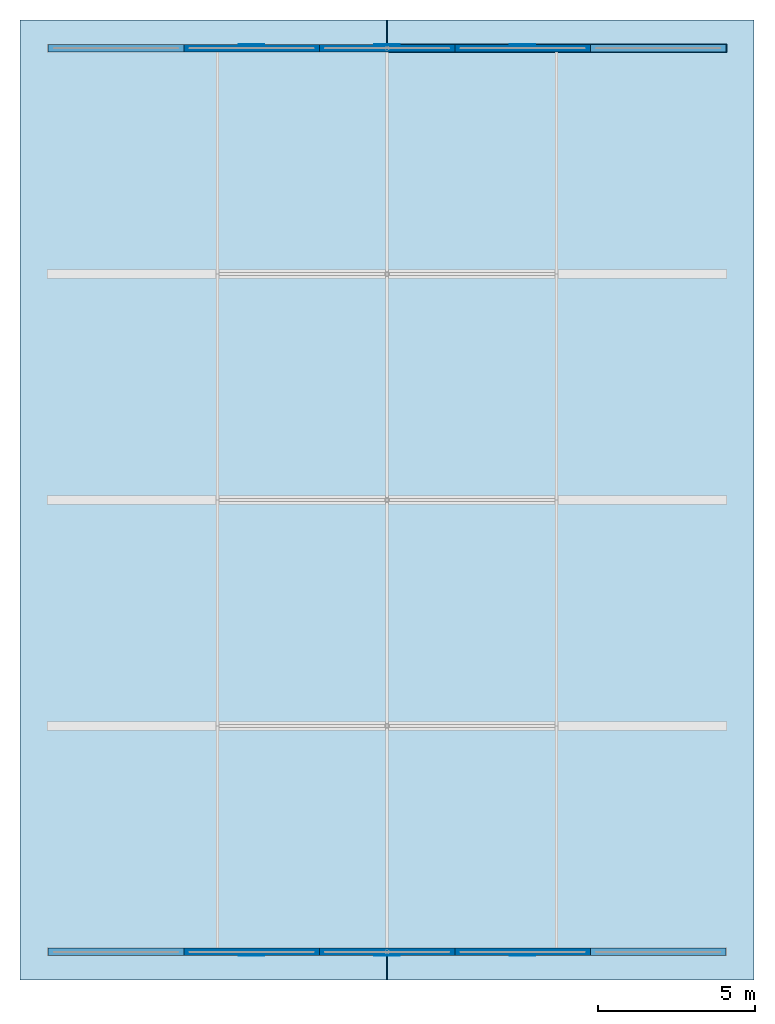
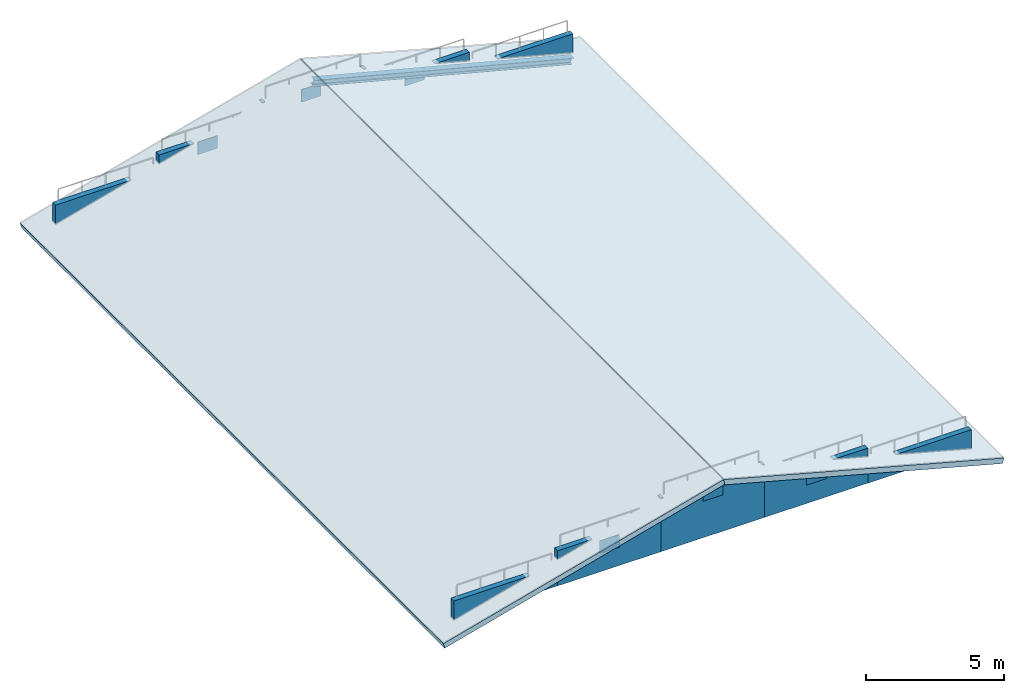
# One storey, part 7 of 8: 10 walls, 6 plates, 2 slabs, 1 member.
"""IFC4 building model written with IfcOpenShell, lengths in metres."""

from ifc_helpers import new_model, si_unit, direction, frame, frame_2d, origin, origin_2d, place, context, subcontext, project, spatial, polyline, rectangle, i_section, outline, extrude, material, layer, layer_set, material_profile, profile_set, type_object, element, save


model = new_model("IFC4")

# Units and contexts
model_context = context("Model", 3, precision=1e-05, world=origin(), true_north=direction((0.0, 1.0)))
body_context = subcontext(model_context, "Body", "Model", "MODEL_VIEW")
ifc_project = project(units=[si_unit("LENGTHUNIT", "METRE"), si_unit("AREAUNIT", "SQUARE_METRE"), si_unit("VOLUMEUNIT", "CUBIC_METRE"), si_unit("PLANEANGLEUNIT", "RADIAN"), si_unit("MASSUNIT", "GRAM", prefix="KILO"), si_unit("THERMODYNAMICTEMPERATUREUNIT", "KELVIN"), si_unit("POWERUNIT", "WATT")], contexts=[model_context])

# Site, building, storey
site_placement = place(None, origin())
site = spatial("IfcSite", under=ifc_project, at=site_placement, CompositionType="ELEMENT")
building_placement = place(site_placement, origin())
building = spatial("IfcBuilding", under=site, at=building_placement, Name="Tavuni Mirador Residences", CompositionType="ELEMENT")
storey_placement = place(building_placement, frame((0.0, 0.0, 51.75)))
storey = spatial("IfcBuildingStorey", under=building, at=storey_placement, Name="RF", CompositionType="ELEMENT", Elevation=51.75)

# Member
ifc_material_1 = material(Name="Structural steel S355", Category="steel")
ifc_material_profile = material_profile(ifc_material_1, i_section(OverallWidth=0.280029296875, OverallDepth=0.27001953125, WebThickness=0.008056640625, FlangeThickness=0.012939453125, FilletRadius=0.02392578125, at=origin_2d()), Name="HEA 280", Category="steel")
ifc_profile_set = profile_set([ifc_material_profile], Name="Structural steel S355")
member_type = type_object("IfcMemberType", Name="MT-CH-HEA280", PredefinedType="CHORD", material=ifc_profile_set)
member_placement = place(storey_placement, frame((14.39990234375, 36.0, 2.449951171875), z_axis=(0.967996110632, 0.0, -0.250965196393), x_axis=(0.0, 1.0, 0.0)))
element("IfcMember", 1, at=member_placement, inside=storey, type_object=member_type, Name="RAF-BLK-A-04-E", PredefinedType="CHORD", context=body_context, shape_type="SweptSolid", body=[
    extrude(i_section(OverallWidth=0.280029296875, OverallDepth=0.27001953125, WebThickness=0.008056640625, FlangeThickness=0.012939453125, FilletRadius=0.02392578125, at=origin_2d()), origin(), (0.0, 0.0, 1.0), 11.1572265625),
])

# Plates
ifc_layer_1 = layer(ifc_material_1, 0.028076171875, Name="Structural steel S355", Category="steel")
ifc_layer_set_1 = layer_set([ifc_layer_1], Name="Structural steel S355")
plate_type = type_object("IfcPlateType", Name="PLT-GP09", PredefinedType="USERDEFINED", material=ifc_layer_set_1)
for number, where, z_axis, x_axis, name in (
    (2, (10.080078125, 7.08349609375, 0.820068359375), (0.0, 0.0, 1.0), (1.0, 0.0, 0.0), "TRENC-BLK-A-X0-1"),
    (3, (14.39990234375, 7.08349609375, 1.619873046875), (0.0, 0.0, 1.0), (1.0, 0.0, 0.0), "TRENC-BLK-A-X0-2"),
    (4, (18.719970703125, 7.08349609375, 0.820068359375), (0.0, 0.0, 1.0), (1.0, 0.0, 0.0), "TRENC-BLK-A-X0-3"),
    (5, (10.080078125, 36.116455078125, 0.820068359375), (0.0, 0.0, 1.0), (1.0, 0.0, 0.0), "TRENC-BLK-A-X1-1"),
    (6, (14.39990234375, 36.116455078125, 1.619873046875), (0.0, 0.0, 1.0), (1.0, 0.0, 0.0), "TRENC-BLK-A-X1-2"),
    (7, (18.719970703125, 36.116455078125, 0.820068359375), (0.0, 0.0, 1.0), (1.0, 0.0, 0.0), "TRENC-BLK-A-X1-3"),
):
    element("IfcPlate", number, at=place(storey_placement, frame(where, z_axis=z_axis, x_axis=x_axis)), inside=storey, type_object=plate_type, Name=name, ObjectType="GUSSET PLATE", PredefinedType="USERDEFINED", context=body_context, shape_type="SweptSolid", body=[
        extrude(rectangle(XDim=0.820068359375, YDim=0.028076171875, at=origin_2d()), origin(), (0.0, 0.0, 1.0), 0.56005859375),
    ])

# Slabs
ifc_material_2 = material(Name="Precast concrete C40/50", Category="concrete")
ifc_layer_2 = layer(ifc_material_2, 0.22998046875, Name="Precast concrete C40/50", Category="concrete")
ifc_layer_set_2 = layer_set([ifc_layer_2], Name="Precast concrete C40/50")
slab_type = type_object("IfcSlabType", Name="SLT-RF230", PredefinedType="ROOF", material=ifc_layer_set_2)
for number, where, z_axis, x_axis, name in (
    (8, (2.699951171875, 6.300048828125, -0.24169921875), (-0.259575572579, 0.0, 0.965722797764), (0.965722797764, 0.0, 0.259575572579), "RF-BLK-A-W"),
    (9, (14.412109375, 6.300048828125, 2.89990234375), (0.259575572579, 0.0, 0.965722797764), (0.965722797764, 0.0, -0.259575572579), "RF-BLK-A-E"),
):
    element("IfcSlab", number, at=place(storey_placement, frame(where, z_axis=z_axis, x_axis=x_axis)), inside=storey, type_object=slab_type, Name=name, PredefinedType="ROOF", context=body_context, shape_type="SweptSolid", body=[
        extrude(outline(polyline([(0.0, 0.0), (12.10283976759751, 0.0), (12.10283976759751, 30.599853515625), (0.0, 30.599853515625), (0.0, 0.0)])), origin(), (0.0, 0.0, -1.0), 0.22998046875),
    ])

# Walls
ifc_layer_3 = layer(ifc_material_2, 0.22509765625, Name="Precast concrete C40/50", Category="concrete")
ifc_layer_set_3 = layer_set([ifc_layer_3], Name="Precast concrete C40/50")
wall_type = type_object("IfcWallType", Name="WT-PAR225", PredefinedType="PARAPET", material=ifc_layer_set_3)
wall_1_placement = place(storey_placement, frame((3.60009765625, 7.199951171875, 0.0), z_axis=(0.0, 0.0, 1.0), x_axis=(1.0, 0.0, 0.0)))
element("IfcWall", 10, at=wall_1_placement, inside=storey, type_object=wall_type, Name="PAR-BLKA-S-1", PredefinedType="PARAPET", context=body_context, shape_type="SweptSolid", body=[
    extrude(rectangle(XDim=4.31982421875, YDim=0.22509765625, at=frame_2d((2.159912109375, 0.0))), origin(), (0.0, 0.0, 1.0), 0.85009765625),
])
wall_2_placement = place(storey_placement, frame((7.919921875, 7.199951171875, 0.0), z_axis=(0.0, 0.0, 1.0), x_axis=(1.0, 0.0, 0.0)))
element("IfcWall", 11, at=wall_2_placement, inside=storey, type_object=wall_type, Name="PAR-BLKA-S-2", PredefinedType="PARAPET", context=body_context, shape_type="SweptSolid", body=[
    extrude(rectangle(XDim=4.320068359375, YDim=0.22509765625, at=frame_2d((2.16015625, 0.0))), origin(), (0.0, 0.0, 1.0), 1.550048828125),
])
wall_3_placement = place(storey_placement, frame((12.239990234375, 7.199951171875, 0.0), z_axis=(0.0, 0.0, 1.0), x_axis=(1.0, 0.0, 0.0)))
element("IfcWall", 12, at=wall_3_placement, inside=storey, type_object=wall_type, Name="PAR-BLKA-S-3", PredefinedType="PARAPET", context=body_context, shape_type="SweptSolid", body=[
    extrude(rectangle(XDim=4.320068359375, YDim=0.22509765625, at=frame_2d((2.16015625, 0.0))), origin(), (0.0, 0.0, 1.0), 2.35009765625),
])
wall_4_placement = place(storey_placement, frame((16.56005859375, 7.199951171875, 0.0), z_axis=(0.0, 0.0, 1.0), x_axis=(1.0, 0.0, 0.0)))
element("IfcWall", 13, at=wall_4_placement, inside=storey, type_object=wall_type, Name="PAR-BLKA-S-4", PredefinedType="PARAPET", context=body_context, shape_type="SweptSolid", body=[
    extrude(rectangle(XDim=4.31982421875, YDim=0.22509765625, at=frame_2d((2.159912109375, 0.0))), origin(), (0.0, 0.0, 1.0), 1.550048828125),
])
wall_5_placement = place(storey_placement, frame((20.8798828125, 7.199951171875, 0.0), z_axis=(0.0, 0.0, 1.0), x_axis=(1.0, 0.0, 0.0)))
element("IfcWall", 14, at=wall_5_placement, inside=storey, type_object=wall_type, Name="PAR-BLKA-S-5", PredefinedType="PARAPET", context=body_context, shape_type="SweptSolid", body=[
    extrude(rectangle(XDim=4.320068359375, YDim=0.22509765625, at=frame_2d((2.16015625, 0.0))), origin(), (0.0, 0.0, 1.0), 0.85009765625),
])
wall_6_placement = place(storey_placement, frame((3.60009765625, 36.0, 0.0), z_axis=(0.0, 0.0, 1.0), x_axis=(1.0, 0.0, 0.0)))
element("IfcWall", 15, at=wall_6_placement, inside=storey, type_object=wall_type, Name="PAR-BLKA-N-1", PredefinedType="PARAPET", context=body_context, shape_type="SweptSolid", body=[
    extrude(rectangle(XDim=4.31982421875, YDim=0.22509765625, at=frame_2d((2.159912109375, 0.0))), origin(), (0.0, 0.0, 1.0), 0.85009765625),
])
wall_7_placement = place(storey_placement, frame((7.919921875, 36.0, 0.0), z_axis=(0.0, 0.0, 1.0), x_axis=(1.0, 0.0, 0.0)))
element("IfcWall", 16, at=wall_7_placement, inside=storey, type_object=wall_type, Name="PAR-BLKA-N-2", PredefinedType="PARAPET", context=body_context, shape_type="SweptSolid", body=[
    extrude(rectangle(XDim=4.320068359375, YDim=0.22509765625, at=frame_2d((2.16015625, 0.0))), origin(), (0.0, 0.0, 1.0), 1.550048828125),
])
wall_8_placement = place(storey_placement, frame((12.239990234375, 36.0, 0.0), z_axis=(0.0, 0.0, 1.0), x_axis=(1.0, 0.0, 0.0)))
element("IfcWall", 17, at=wall_8_placement, inside=storey, type_object=wall_type, Name="PAR-BLKA-N-3", PredefinedType="PARAPET", context=body_context, shape_type="SweptSolid", body=[
    extrude(rectangle(XDim=4.320068359375, YDim=0.22509765625, at=frame_2d((2.16015625, 0.0))), origin(), (0.0, 0.0, 1.0), 2.35009765625),
])
wall_9_placement = place(storey_placement, frame((16.56005859375, 36.0, 0.0), z_axis=(0.0, 0.0, 1.0), x_axis=(1.0, 0.0, 0.0)))
element("IfcWall", 18, at=wall_9_placement, inside=storey, type_object=wall_type, Name="PAR-BLKA-N-4", PredefinedType="PARAPET", context=body_context, shape_type="SweptSolid", body=[
    extrude(rectangle(XDim=4.31982421875, YDim=0.22509765625, at=frame_2d((2.159912109375, 0.0))), origin(), (0.0, 0.0, 1.0), 1.550048828125),
])
wall_10_placement = place(storey_placement, frame((20.8798828125, 36.0, 0.0), z_axis=(0.0, 0.0, 1.0), x_axis=(1.0, 0.0, 0.0)))
element("IfcWall", 19, at=wall_10_placement, inside=storey, type_object=wall_type, Name="PAR-BLKA-N-5", PredefinedType="PARAPET", context=body_context, shape_type="SweptSolid", body=[
    extrude(rectangle(XDim=4.320068359375, YDim=0.22509765625, at=frame_2d((2.16015625, 0.0))), origin(), (0.0, 0.0, 1.0), 0.85009765625),
])

save(model, "model.ifc")
